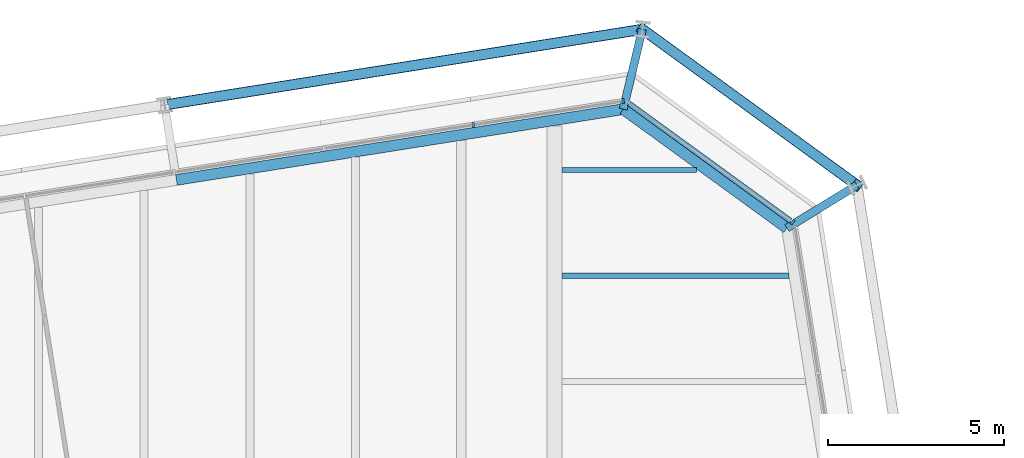
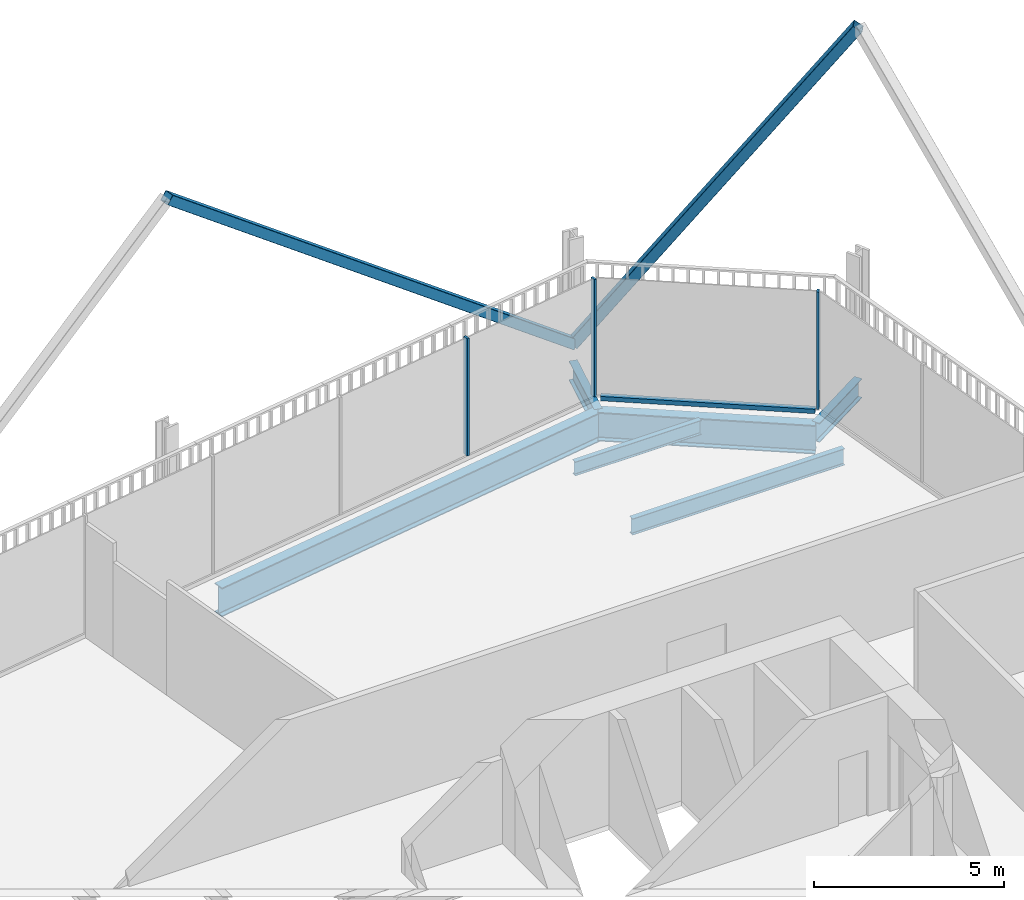
# One storey, part 16 of 22: 6 beams, 6 members, 2 elements without a shape of their own.
"""IFC4 building model written with IfcOpenShell, lengths in metres."""

from ifc_helpers import new_model, si_unit, direction, frame, origin, origin_2d, place, context, subcontext, project, spatial, rectangle, hollow_rectangle, i_section, extrude, material, layer, layer_set, material_profile, profile_set, type_object, element, aggregate, save


model = new_model("IFC4")

# Units and contexts
model_context = context("Model", 3, precision=1e-05, world=origin(), true_north=direction((0.0, 1.0)))
body_context = subcontext(model_context, "Body", "Model", "MODEL_VIEW")
ifc_project = project(units=[si_unit("LENGTHUNIT", "METRE"), si_unit("AREAUNIT", "SQUARE_METRE"), si_unit("VOLUMEUNIT", "CUBIC_METRE"), si_unit("PLANEANGLEUNIT", "RADIAN"), si_unit("MASSUNIT", "GRAM", prefix="KILO")], contexts=[model_context])

# Site, building, storey
site_placement = place(None, origin())
site = spatial("IfcSite", under=ifc_project, at=site_placement, CompositionType="ELEMENT")
building_placement = place(site_placement, origin())
building = spatial("IfcBuilding", under=site, at=building_placement, Name="Millrace Tower", CompositionType="ELEMENT")
storey_placement = place(building_placement, frame((0.0, 0.0, 168.5)))
storey = spatial("IfcBuildingStorey", under=building, at=storey_placement, Name="L38", CompositionType="ELEMENT", Elevation=168.5)

# Curtain wall, member
ifc_material_1 = material(Name="Aluminium and glass", Category="aluminium")
ifc_layer = layer(ifc_material_1, 0.14990234375)
ifc_layer_set = layer_set([ifc_layer], Name="Aluminium and glass")
curtain_wall_type = type_object("IfcCurtainWallType", Name="CW-1 office vision curtain wall", PredefinedType="NOTDEFINED", material=ifc_layer_set)
placement = place(storey_placement, origin())
curtain_wall_1 = element("IfcCurtainWall", 1, at=placement, inside=storey, type_object=curtain_wall_type, Name="Curtain wall C-F05 L38", PredefinedType="NOTDEFINED")
ifc_material_2 = material(Name="Aluminium", Category="aluminium")
ifc_material_profile_1 = material_profile(ifc_material_2, rectangle(XDim=0.06494140625, YDim=0.14990234375, at=origin_2d()))
ifc_profile_set_1 = profile_set([ifc_material_profile_1], Name="Aluminium")
member_type_1 = type_object("IfcMemberType", Name="CW-1 office vision curtain wall mullion", PredefinedType="MULLION", material=ifc_profile_set_1)
member_1_placement = place(storey_placement, frame((21.4013671875, 22.517822265625, 0.139892578125), z_axis=(0.0, 0.0, 1.0), x_axis=(-0.809016981623, 0.587785269844, 0.0)))
member_1 = element("IfcMember", 2, at=member_1_placement, type_object=member_type_1, Name="CW1 mullion C-F05.1", PredefinedType="MULLION", context=body_context, shape_type="SweptSolid", body=[
    extrude(rectangle(XDim=0.06494140625, YDim=0.14990234375, at=origin_2d()), origin(), (0.0, 0.0, 1.0), 3.760009765625),
])

# Curtain wall, members
curtain_wall_2 = element("IfcCurtainWall", 3, at=placement, inside=storey, type_object=curtain_wall_type, Name="Curtain wall C-F06 L38", PredefinedType="NOTDEFINED")
member_2_placement = place(storey_placement, frame((16.591796875, 25.956787109375, 0.139892578125), z_axis=(0.0, 0.0, 1.0), x_axis=(-0.98768833929, -0.15643447328, 0.0)))
member_2 = element("IfcMember", 4, at=member_2_placement, type_object=member_type_1, Name="CW1 mullion C-F06.1", PredefinedType="MULLION", context=body_context, shape_type="SweptSolid", body=[
    extrude(rectangle(XDim=0.06494140625, YDim=0.14990234375, at=origin_2d()), origin(), (0.0, 0.0, 1.0), 3.760009765625),
])
member_3_placement = place(storey_placement, frame((12.3447265625, 25.283935546875, 0.139892578125), z_axis=(0.0, 0.0, 1.0), x_axis=(-0.98768833929, -0.15643447328, 0.0)))
member_3 = element("IfcMember", 5, at=member_3_placement, type_object=member_type_1, Name="CW1 mullion C-F06.2", PredefinedType="MULLION", context=body_context, shape_type="SweptSolid", body=[
    extrude(rectangle(XDim=0.06494140625, YDim=0.14990234375, at=origin_2d()), origin(), (0.0, 0.0, 1.0), 3.760009765625),
])
aggregate(curtain_wall_2, [member_2, member_3])

# Member
ifc_material_3 = material(Name="Aluminium", Category="aluminium")
ifc_material_profile_2 = material_profile(ifc_material_3, rectangle(XDim=0.14990234375, YDim=0.139892578125, at=origin_2d()))
ifc_profile_set_2 = profile_set([ifc_material_profile_2], Name="Aluminium")
member_type_2 = type_object("IfcMemberType", Name="CW-1 office vision curtain wall transom", PredefinedType="USERDEFINED", material=ifc_profile_set_2)
member_4_placement = place(storey_placement, frame((21.346923828125, 22.557373046875, 0.070068359375), z_axis=(-0.809013470651, 0.587790102252, 0.0), x_axis=(-0.587790102252, -0.809013470651, 0.0)))
member_4 = element("IfcMember", 6, at=member_4_placement, type_object=member_type_2, Name="CW1 transom C-F05.1", ObjectType="TRANSOM", PredefinedType="USERDEFINED", context=body_context, shape_type="SweptSolid", body=[
    extrude(rectangle(XDim=0.14990234375, YDim=0.139892578125, at=origin_2d()), origin(), (0.0, 0.0, 1.0), 5.669189453125),
])

aggregate(curtain_wall_1, [member_1, member_4])

# Members
ifc_material_4 = material(Name="Steel ASTM A500 Grade C", Category="steel")
ifc_material_profile_3 = material_profile(ifc_material_4, hollow_rectangle(XDim=0.3046875, YDim=0.3046875, WallThickness=0.0126953125, InnerFilletRadius=0.00634765625, OuterFilletRadius=0.01904296875, at=origin_2d()))
ifc_profile_set_3 = profile_set([ifc_material_profile_3], Name="Steel ASTM A500 Grade C")
member_type_3 = type_object("IfcMemberType", Name="Exoskeleton brace HSS12x12x1/2", PredefinedType="BRACE", material=ifc_profile_set_3)
member_5_placement = place(storey_placement, frame((17.140869140625, 27.99267578125, 0.39990234375), z_axis=(0.465426853531, -0.338147847112, 0.817944911046), x_axis=(0.587780069364, 0.809020759968, 0.0)))
element("IfcMember", 7, at=member_5_placement, inside=storey, type_object=member_type_3, Name="BRC-C-L38-09", PredefinedType="BRACE", context=body_context, shape_type="SweptSolid", body=[
    extrude(hollow_rectangle(XDim=0.3046875, YDim=0.3046875, WallThickness=0.0126953125, InnerFilletRadius=0.00634765625, OuterFilletRadius=0.01904296875, at=origin_2d()), origin(), (0.0, 0.0, 1.0), 13.081787109375),
])
member_6_placement = place(storey_placement, frame((17.140869140625, 27.99267578125, 0.39990234375), z_axis=(-0.779011602037, -0.123390141398, 0.614748563965), x_axis=(0.156442906258, -0.987687003601, 0.0)))
element("IfcMember", 8, at=member_6_placement, inside=storey, type_object=member_type_3, Name="BRC-C-L38-10", PredefinedType="BRACE", context=body_context, shape_type="SweptSolid", body=[
    extrude(hollow_rectangle(XDim=0.3046875, YDim=0.3046875, WallThickness=0.0126953125, InnerFilletRadius=0.00634765625, OuterFilletRadius=0.01904296875, at=origin_2d()), origin(), (0.0, 0.0, 1.0), 17.40576171875),
])

# Beams
ifc_material_5 = material(Name="Steel ASTM A992 Grade 50", Category="steel")
ifc_material_profile_4 = material_profile(ifc_material_5, i_section(OverallWidth=0.15234375, OverallDepth=0.449462890625, WebThickness=0.007568359375, FlangeThickness=0.0107421875, FilletRadius=0.01025390625, at=origin_2d()))
ifc_profile_set_4 = profile_set([ifc_material_profile_4], Name="Steel ASTM A992 Grade 50")
beam_type_1 = type_object("IfcBeamType", Name="Floor beam W18x35", PredefinedType="JOIST", material=ifc_profile_set_4)
beam_1_placement = place(storey_placement, frame((14.859619140625, 24.0, -0.384765625), z_axis=(1.0, 0.0, 0.0), x_axis=(0.0, 1.0, 0.0)))
element("IfcBeam", 9, at=beam_1_placement, inside=storey, type_object=beam_type_1, Name="BM-C-L38-S1-S038", PredefinedType="JOIST", context=body_context, shape_type="SweptSolid", body=[
    extrude(i_section(OverallWidth=0.15234375, OverallDepth=0.449462890625, WebThickness=0.007568359375, FlangeThickness=0.0107421875, FilletRadius=0.01025390625, at=origin_2d()), origin(), (0.0, 0.0, 1.0), 3.8232421875),
])
ifc_material_6 = material(Name="Steel ASTM A992 Grade 50", Category="steel")
ifc_material_profile_5 = material_profile(ifc_material_6, i_section(OverallWidth=0.1650390625, OverallDepth=0.52587890625, WebThickness=0.0087890625, FlangeThickness=0.011474609375, FilletRadius=0.0126953125, at=origin_2d()))
ifc_profile_set_5 = profile_set([ifc_material_profile_5], Name="Steel ASTM A992 Grade 50")
beam_type_2 = type_object("IfcBeamType", Name="Floor beam W21x44", PredefinedType="JOIST", material=ifc_profile_set_5)
beam_2_placement = place(storey_placement, frame((14.859619140625, 21.0, -0.4228515625), z_axis=(1.0, 0.0, 0.0), x_axis=(0.0, 1.0, 0.0)))
element("IfcBeam", 10, at=beam_2_placement, inside=storey, type_object=beam_type_2, Name="BM-C-L38-S1-S037", PredefinedType="JOIST", context=body_context, shape_type="SweptSolid", body=[
    extrude(i_section(OverallWidth=0.1650390625, OverallDepth=0.52587890625, WebThickness=0.0087890625, FlangeThickness=0.011474609375, FilletRadius=0.0126953125, at=origin_2d()), origin(), (0.0, 0.0, 1.0), 6.440673828125),
])
ifc_material_7 = material(Name="Steel ASTM A992 Grade 50", Category="steel")
ifc_material_profile_6 = material_profile(ifc_material_7, i_section(OverallWidth=0.23046875, OverallDepth=0.6171875, WebThickness=0.01318359375, FlangeThickness=0.022216796875, FilletRadius=0.012939453125, at=origin_2d()))
ifc_profile_set_6 = profile_set([ifc_material_profile_6], Name="Steel ASTM A992 Grade 50")
beam_type_3 = type_object("IfcBeamType", Name="Link beam W24x94", PredefinedType="BEAM", material=ifc_profile_set_6)
beam_3_placement = place(storey_placement, frame((16.5966796875, 25.725830078125, -0.468505859375), z_axis=(0.233432364948, 0.972373041068, 0.0), x_axis=(-0.972373041068, 0.233432364948, 0.0)))
element("IfcBeam", 11, at=beam_3_placement, inside=storey, type_object=beam_type_3, Name="LNK-C-L38-S1-08", PredefinedType="BEAM", context=body_context, shape_type="SweptSolid", body=[
    extrude(i_section(OverallWidth=0.23046875, OverallDepth=0.6171875, WebThickness=0.01318359375, FlangeThickness=0.022216796875, FilletRadius=0.012939453125, at=origin_2d()), origin(), (0.0, 0.0, 1.0), 2.331298828125),
])
beam_4_placement = place(storey_placement, frame((21.241943359375, 22.35107421875, -0.468505859375), z_axis=(0.852631355792, 0.522512938711, 0.0), x_axis=(-0.522512938711, 0.852631355792, 0.0)))
element("IfcBeam", 12, at=beam_4_placement, inside=storey, type_object=beam_type_3, Name="LNK-C-L38-S1-09", PredefinedType="BEAM", context=body_context, shape_type="SweptSolid", body=[
    extrude(i_section(OverallWidth=0.23046875, OverallDepth=0.6171875, WebThickness=0.01318359375, FlangeThickness=0.022216796875, FilletRadius=0.012939453125, at=origin_2d()), origin(), (0.0, 0.0, 1.0), 2.3310546875),
])
ifc_material_8 = material(Name="Steel ASTM A992 Grade 50", Category="steel")
ifc_material_profile_7 = material_profile(ifc_material_8, i_section(OverallWidth=0.307373046875, OverallDepth=0.927001953125, WebThickness=0.01953125, FlangeThickness=0.031982421875, FilletRadius=0.01904296875, at=origin_2d()))
ifc_profile_set_7 = profile_set([ifc_material_profile_7], Name="Steel ASTM A992 Grade 50")
beam_type_4 = type_object("IfcBeamType", Name="Ring beam medium span W36x194", PredefinedType="SPANDREL", material=ifc_profile_set_7)
beam_5_placement = place(storey_placement, frame((3.91845703125, 23.718017578125, -0.62353515625), z_axis=(0.987690996996, 0.156417692264, 0.0), x_axis=(-0.156417692264, 0.987690996996, 0.0)))
element("IfcBeam", 13, at=beam_5_placement, inside=storey, type_object=beam_type_4, Name="RNG-C-L38-S1-07", PredefinedType="SPANDREL", context=body_context, shape_type="SweptSolid", body=[
    extrude(i_section(OverallWidth=0.307373046875, OverallDepth=0.927001953125, WebThickness=0.01953125, FlangeThickness=0.031982421875, FilletRadius=0.01904296875, at=origin_2d()), origin(), (0.0, 0.0, 1.0), 12.836181640625),
])
ifc_material_9 = material(Name="Steel ASTM A992 Grade 50", Category="steel")
ifc_material_profile_8 = material_profile(ifc_material_9, i_section(OverallWidth=0.307373046875, OverallDepth=0.927001953125, WebThickness=0.01953125, FlangeThickness=0.031982421875, FilletRadius=0.01904296875, at=origin_2d()))
ifc_profile_set_8 = profile_set([ifc_material_profile_8], Name="Steel ASTM A992 Grade 50")
beam_type_5 = type_object("IfcBeamType", Name="Ring beam short span W36x194", PredefinedType="SPANDREL", material=ifc_profile_set_8)
beam_6_placement = place(storey_placement, frame((16.5966796875, 25.725830078125, -0.62353515625), z_axis=(0.809035690681, -0.587759518174, 0.0), x_axis=(0.587759518174, 0.809035690681, 0.0)))
element("IfcBeam", 14, at=beam_6_placement, inside=storey, type_object=beam_type_5, Name="RNG-C-L38-S1-08", PredefinedType="SPANDREL", context=body_context, shape_type="SweptSolid", body=[
    extrude(i_section(OverallWidth=0.307373046875, OverallDepth=0.927001953125, WebThickness=0.01953125, FlangeThickness=0.031982421875, FilletRadius=0.01904296875, at=origin_2d()), origin(), (0.0, 0.0, 1.0), 5.74169921875),
])

save(model, "model.ifc")
